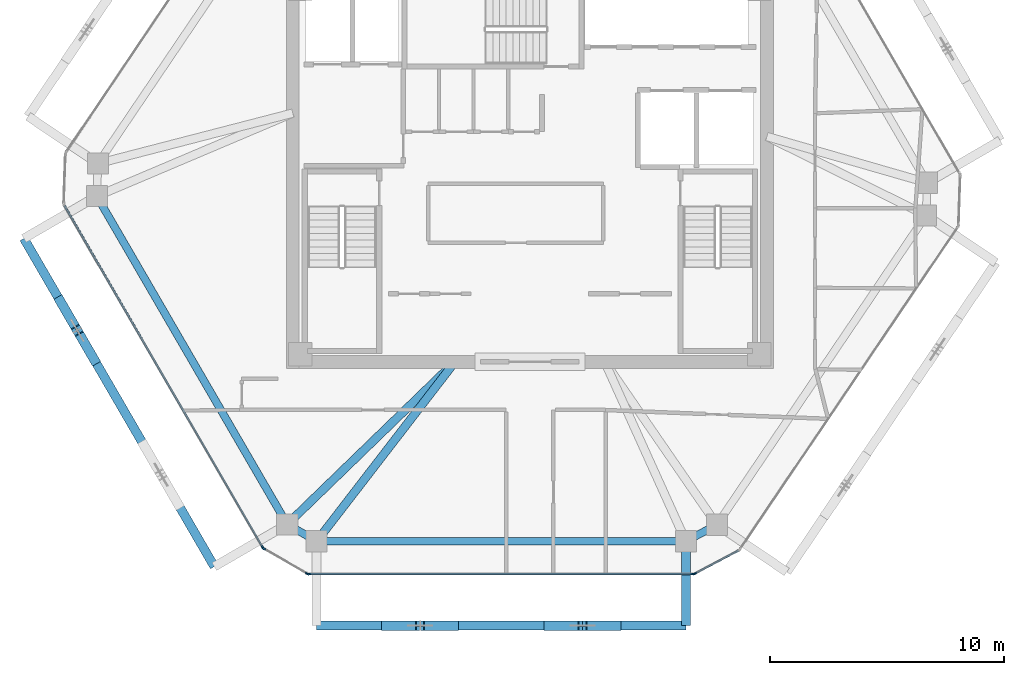
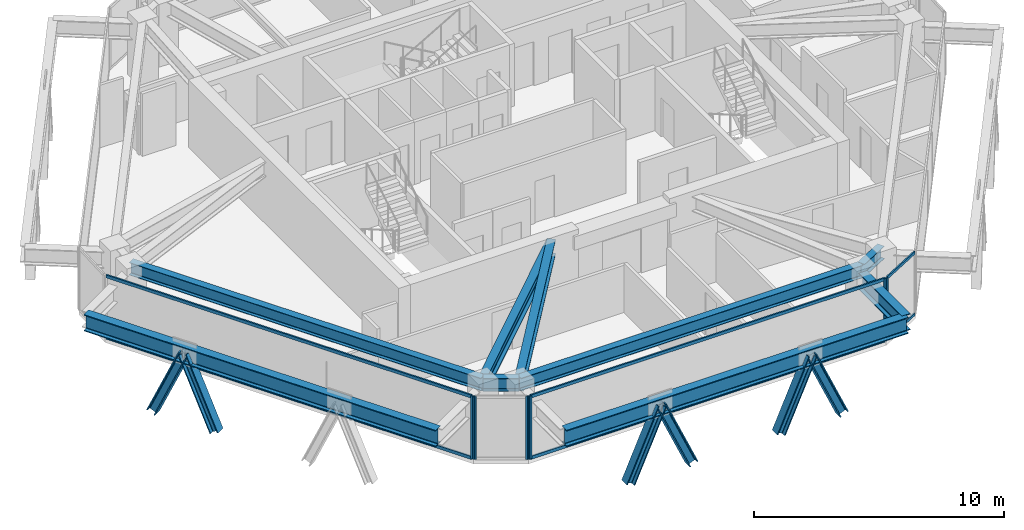
# One storey, part 2 of 12: 18 members, 9 beams, 4 elements without a shape of their own.
"""IFC4 building model written with IfcOpenShell, lengths in metres."""

from ifc_helpers import new_model, si_unit, direction, frame, origin, origin_2d, place, context, subcontext, project, spatial, rectangle, i_section, extrude, source, transform, mapped, material, layer, layer_set, material_profile, profile_set, type_object, type_shapes, element, aggregate, save


model = new_model("IFC4")

# Units and contexts
model_context = context("Model", 3, precision=1e-05, world=origin(), true_north=direction((0.0, 1.0)))
body_context = subcontext(model_context, "Body", "Model", "MODEL_VIEW")
ifc_project = project(units=[si_unit("LENGTHUNIT", "METRE"), si_unit("AREAUNIT", "SQUARE_METRE"), si_unit("VOLUMEUNIT", "CUBIC_METRE"), si_unit("PLANEANGLEUNIT", "RADIAN"), si_unit("MASSUNIT", "GRAM", prefix="KILO")], contexts=[model_context])

# Site, building, storey
site_placement = place(None, origin())
site = spatial("IfcSite", under=ifc_project, at=site_placement, CompositionType="ELEMENT")
building_placement = place(site_placement, origin())
building = spatial("IfcBuilding", under=site, at=building_placement, Name="Durnholm Broadcast Tower", CompositionType="ELEMENT")
storey_placement = place(building_placement, frame((0.0, 0.0, 221.60009765625)))
storey = spatial("IfcBuildingStorey", under=building, at=storey_placement, Name="L61", CompositionType="ELEMENT", Elevation=221.60009765625)

# Beams
ifc_material_1 = material(Name="Steel ASTM A992 Grade 50", Category="steel")
ifc_material_profile_1 = material_profile(ifc_material_1, i_section(OverallWidth=0.385009765625, OverallDepth=0.802978515625, WebThickness=0.023681640625, FlangeThickness=0.0419921875, FilletRadius=0.032958984375, at=origin_2d()), Name="W30X261")
ifc_profile_set_1 = profile_set([ifc_material_profile_1], Name="Steel ASTM A992 Grade 50")
beam_type_1 = type_object("IfcBeamType", Name="BM-EXO-TIE", PredefinedType="USERDEFINED", material=ifc_profile_set_1)
shared_shape_1 = source(origin(), body_context, "Body", "SweptSolid", [
    extrude(i_section(OverallWidth=0.385009765625, OverallDepth=0.802978515625, WebThickness=0.023681640625, FlangeThickness=0.0419921875, FilletRadius=0.032958984375, at=origin_2d()), origin(), (0.0, 0.0, 1.0), 3.4560546875),
])
beam_1_placement = place(storey_placement, frame((6.663818359375, -15.929931640625, 2.308349609375), z_axis=(0.0, -1.0, 0.0), x_axis=(1.0, 0.0, 0.0)))
element("IfcBeam", 1, at=beam_1_placement, inside=storey, type_object=beam_type_1, Name="L61 exoskeleton stand-off tie bracket F1.2", ObjectType="GIRDER", PredefinedType="USERDEFINED", context=body_context, shape_type="MappedRepresentation", body=[
    mapped(shared_shape_1, transform((0.0, 0.0, 0.0), x_axis=(1.0, 0.0, 0.0), y_axis=(0.0, 1.0, 0.0), z_axis=(0.0, 0.0, 1.0), scale=1.0)),
])
ifc_material_profile_2 = material_profile(ifc_material_1, i_section(OverallWidth=0.3251953125, OverallDepth=0.6162109375, WebThickness=0.013916015625, FlangeThickness=0.021484375, FilletRadius=0.02783203125, at=origin_2d()), Name="W24X117")
ifc_profile_set_2 = profile_set([ifc_material_profile_2], Name="Steel ASTM A992 Grade 50")
beam_type_2 = type_object("IfcBeamType", Name="STL-SP-W24X117", PredefinedType="SPANDREL", material=ifc_profile_set_2)
shared_shape_2 = source(origin(), body_context, "Body", "SweptSolid", [
    extrude(i_section(OverallWidth=0.3251953125, OverallDepth=0.6162109375, WebThickness=0.013916015625, FlangeThickness=0.021484375, FilletRadius=0.02783203125, at=origin_2d()), origin(), (0.0, 0.0, 1.0), 16.202880859375),
])
beam_2_placement = place(storey_placement, frame((-10.361328125, -15.061767578125, 2.73681640625), z_axis=(-0.501948303381, 0.864897624423, 0.0), x_axis=(-0.864897624423, -0.501948303381, 0.0)))
element("IfcBeam", 2, at=beam_2_placement, inside=storey, type_object=beam_type_2, Name="L61 perimeter spandrel girder 01", PredefinedType="SPANDREL", context=body_context, shape_type="MappedRepresentation", body=[
    mapped(shared_shape_2, transform((0.0, 0.0, 0.0), x_axis=(1.0, 0.0, 0.0), y_axis=(0.0, 1.0, 0.0), z_axis=(0.0, 0.0, 1.0), scale=1.0)),
])
shared_shape_3 = source(origin(), body_context, "Body", "SweptSolid", [
    extrude(i_section(OverallWidth=0.3251953125, OverallDepth=0.6162109375, WebThickness=0.013916015625, FlangeThickness=0.021484375, FilletRadius=0.02783203125, at=origin_2d()), origin(), (0.0, 0.0, 1.0), 1.502685546875),
])
beam_3_placement = place(storey_placement, frame((7.990966796875, -15.081298828125, 2.73681640625), z_axis=(-0.883241909673, -0.468917614296, 0.0), x_axis=(0.468917614296, -0.883241909673, 0.0)))
element("IfcBeam", 3, at=beam_3_placement, inside=storey, type_object=beam_type_2, Name="L61 perimeter spandrel girder 10", PredefinedType="SPANDREL", context=body_context, shape_type="MappedRepresentation", body=[
    mapped(shared_shape_3, transform((0.0, 0.0, 0.0), x_axis=(1.0, 0.0, 0.0), y_axis=(0.0, 1.0, 0.0), z_axis=(0.0, 0.0, 1.0), scale=1.0)),
])
shared_shape_4 = source(origin(), body_context, "Body", "SweptSolid", [
    extrude(i_section(OverallWidth=0.3251953125, OverallDepth=0.6162109375, WebThickness=0.013916015625, FlangeThickness=0.021484375, FilletRadius=0.02783203125, at=origin_2d()), origin(), (0.0, 0.0, 1.0), 15.767578125),
])
beam_4_placement = place(storey_placement, frame((6.663818359375, -15.785888671875, 2.73681640625), z_axis=(-1.0, 0.0, 0.0), x_axis=(0.0, -1.0, 0.0)))
element("IfcBeam", 4, at=beam_4_placement, inside=storey, type_object=beam_type_2, Name="L61 perimeter spandrel girder 11", PredefinedType="SPANDREL", context=body_context, shape_type="MappedRepresentation", body=[
    mapped(shared_shape_4, transform((0.0, 0.0, 0.0), x_axis=(1.0, 0.0, 0.0), y_axis=(0.0, 1.0, 0.0), z_axis=(0.0, 0.0, 1.0), scale=1.0)),
])
shared_shape_5 = source(origin(), body_context, "Body", "SweptSolid", [
    extrude(i_section(OverallWidth=0.3251953125, OverallDepth=0.6162109375, WebThickness=0.013916015625, FlangeThickness=0.021484375, FilletRadius=0.02783203125, at=origin_2d()), origin(), (0.0, 0.0, 1.0), 1.451171875),
])
type_shapes(beam_type_2, [shared_shape_2, shared_shape_3, shared_shape_4, shared_shape_5])
beam_5_placement = place(storey_placement, frame((-9.103759765625, -15.785888671875, 2.73681640625), z_axis=(-0.866602615509, 0.498998904601, 0.0), x_axis=(-0.498998904601, -0.866602615509, 0.0)))
element("IfcBeam", 5, at=beam_5_placement, inside=storey, type_object=beam_type_2, Name="L61 perimeter spandrel girder 12", PredefinedType="SPANDREL", context=body_context, shape_type="MappedRepresentation", body=[
    mapped(shared_shape_5, transform((0.0, 0.0, 0.0), x_axis=(1.0, 0.0, 0.0), y_axis=(0.0, 1.0, 0.0), z_axis=(0.0, 0.0, 1.0), scale=1.0)),
])
shared_shape_6 = source(origin(), body_context, "Body", "SweptSolid", [
    extrude(i_section(OverallWidth=0.385009765625, OverallDepth=0.802978515625, WebThickness=0.023681640625, FlangeThickness=0.0419921875, FilletRadius=0.032958984375, at=origin_2d()), origin(), (0.0, 0.0, 1.0), 15.767578125),
])
beam_6_placement = place(storey_placement, frame((-9.103759765625, -19.385986328125, 2.308349609375), z_axis=(1.0, 0.0, 0.0), x_axis=(0.0, 1.0, 0.0)))
element("IfcBeam", 6, at=beam_6_placement, inside=storey, type_object=beam_type_1, Name="L61 exoskeleton collector spandrel F1", PredefinedType="SPANDREL", context=body_context, shape_type="MappedRepresentation", body=[
    mapped(shared_shape_6, transform((0.0, 0.0, 0.0), x_axis=(1.0, 0.0, 0.0), y_axis=(0.0, 1.0, 0.0), z_axis=(0.0, 0.0, 1.0), scale=1.0)),
])
shared_shape_7 = source(origin(), body_context, "Body", "SweptSolid", [
    extrude(i_section(OverallWidth=0.385009765625, OverallDepth=0.802978515625, WebThickness=0.023681640625, FlangeThickness=0.0419921875, FilletRadius=0.032958984375, at=origin_2d()), origin(), (0.0, 0.0, 1.0), 16.20263671875),
])
type_shapes(beam_type_1, [shared_shape_1, shared_shape_6, shared_shape_7])
beam_7_placement = place(storey_placement, frame((-21.60791015625, -2.85498046875, 2.308349609375), z_axis=(0.501943573333, -0.864900369516, 0.0), x_axis=(0.864900369516, 0.501943573333, 0.0)))
element("IfcBeam", 7, at=beam_7_placement, inside=storey, type_object=beam_type_1, Name="L61 exoskeleton collector spandrel F6", PredefinedType="SPANDREL", context=body_context, shape_type="MappedRepresentation", body=[
    mapped(shared_shape_7, transform((0.0, 0.0, 0.0), x_axis=(1.0, 0.0, 0.0), y_axis=(0.0, 1.0, 0.0), z_axis=(0.0, 0.0, 1.0), scale=1.0)),
])
ifc_material_profile_3 = material_profile(ifc_material_1, i_section(OverallWidth=0.3564453125, OverallDepth=0.713623046875, WebThickness=0.01904296875, FlangeThickness=0.033935546875, FilletRadius=0.030517578125, at=origin_2d()), Name="W27X194")
ifc_profile_set_3 = profile_set([ifc_material_profile_3], Name="Steel ASTM A992 Grade 50")
beam_type_3 = type_object("IfcBeamType", Name="STL-GR-W27X194", PredefinedType="USERDEFINED", material=ifc_profile_set_3)
shared_shape_8 = source(origin(), body_context, "Body", "SweptSolid", [
    extrude(i_section(OverallWidth=0.3564453125, OverallDepth=0.713623046875, WebThickness=0.01904296875, FlangeThickness=0.033935546875, FilletRadius=0.030517578125, at=origin_2d()), origin(), (0.0, 0.0, 1.0), 9.97021484375),
])
beam_8_placement = place(storey_placement, frame((-3.199951171875, -8.125, 2.68798828125), z_axis=(-0.718281140352, -0.695752975857, 0.0), x_axis=(0.695752975857, -0.718281140352, 0.0)))
element("IfcBeam", 8, at=beam_8_placement, inside=storey, type_object=beam_type_3, Name="L61 radial primary floor girder 01", ObjectType="GIRDER", PredefinedType="USERDEFINED", context=body_context, shape_type="MappedRepresentation", body=[
    mapped(shared_shape_8, transform((0.0, 0.0, 0.0), x_axis=(1.0, 0.0, 0.0), y_axis=(0.0, 1.0, 0.0), z_axis=(0.0, 0.0, 1.0), scale=1.0)),
])
shared_shape_9 = source(origin(), body_context, "Body", "SweptSolid", [
    extrude(i_section(OverallWidth=0.3564453125, OverallDepth=0.713623046875, WebThickness=0.01904296875, FlangeThickness=0.033935546875, FilletRadius=0.030517578125, at=origin_2d()), origin(), (0.0, 0.0, 1.0), 9.671875),
])
type_shapes(beam_type_3, [shared_shape_8, shared_shape_9])
beam_9_placement = place(storey_placement, frame((-3.199951171875, -8.125, 2.68798828125), z_axis=(-0.610413181287, -0.792083169945, 0.0), x_axis=(0.792083169945, -0.610413181287, 0.0)))
element("IfcBeam", 9, at=beam_9_placement, inside=storey, type_object=beam_type_3, Name="L61 radial primary floor girder 12", ObjectType="GIRDER", PredefinedType="USERDEFINED", context=body_context, shape_type="MappedRepresentation", body=[
    mapped(shared_shape_9, transform((0.0, 0.0, 0.0), x_axis=(1.0, 0.0, 0.0), y_axis=(0.0, 1.0, 0.0), z_axis=(0.0, 0.0, 1.0), scale=1.0)),
])

# Members
ifc_material_2 = material(Name="Steel ASTM A913 Grade 65", Category="steel")
ifc_material_profile_4 = material_profile(ifc_material_2, i_section(OverallWidth=0.40625, OverallDepth=0.416015625, WebThickness=0.02978515625, FlangeThickness=0.048095703125, FilletRadius=0.030517578125, at=origin_2d()), Name="W14X257")
ifc_profile_set_4 = profile_set([ifc_material_profile_4], Name="Steel ASTM A913 Grade 65")
member_type_1 = type_object("IfcMemberType", Name="STL-DG-W14X257", PredefinedType="BRACE", material=ifc_profile_set_4)
shared_shape_10 = source(origin(), body_context, "Body", "SweptSolid", [
    extrude(i_section(OverallWidth=0.40625, OverallDepth=0.416015625, WebThickness=0.02978515625, FlangeThickness=0.048095703125, FilletRadius=0.030517578125, at=origin_2d()), origin(), (0.0, 0.0, 1.0), 3.607666015625),
])
type_shapes(member_type_1, [shared_shape_10])
for number, where, z_axis, x_axis, name in (
    (10, (-6.14697265625, -19.385986328125, -0.991455078125), (0.404209932713, 0.0, 0.914666239836), (0.0, 1.0, 0.0), "L61 stand-off diagrid brace F1.D1.1"),
    (11, (-3.230712890625, -19.385986328125, -0.991455078125), (-0.404153314314, 0.0, 0.914691258584), (0.0, -1.0, 0.0), "L61 stand-off diagrid brace F1.D1.2"),
    (12, (0.79052734375, -19.385986328125, -0.991455078125), (0.404209932713, 0.0, 0.914666239836), (0.0, 1.0, 0.0), "L61 stand-off diagrid brace F1.D2.1"),
    (13, (3.70703125, -19.385986328125, -0.991455078125), (-0.404209932713, 0.0, 0.914666239836), (0.0, -1.0, 0.0), "L61 stand-off diagrid brace F1.D2.2"),
    (14, (-20.0625, -5.517578125, -0.991455078125), (0.202818858385, -0.349603677817, 0.914681244555), (0.864978863669, 0.501808295473, 0.0), "L61 stand-off diagrid brace F6.D1.1"),
    (15, (-18.5986328125, -8.0400390625, -0.991455078125), (-0.202948633357, 0.349594078001, 0.914656128195), (-0.864833498681, -0.50205878098, 0.0), "L61 stand-off diagrid brace F6.D1.2"),
):
    element("IfcMember", number, at=place(storey_placement, frame(where, z_axis=z_axis, x_axis=x_axis)), inside=storey, type_object=member_type_1, Name=name, PredefinedType="BRACE", context=body_context, shape_type="MappedRepresentation", body=[
        mapped(shared_shape_10, transform((0.0, 0.0, 0.0), x_axis=(1.0, 0.0, 0.0), y_axis=(0.0, 1.0, 0.0), z_axis=(0.0, 0.0, 1.0), scale=1.0)),
    ])

# Curtain wall, members
ifc_material_3 = material(Name="Aluminium and Solar Control IGU", Category="aluminium")
ifc_layer_1 = layer(ifc_material_3, 0.1650390625)
ifc_layer_set_1 = layer_set([ifc_layer_1], Name="Aluminium and Solar Control IGU")
curtain_wall_type_1 = type_object("IfcCurtainWallType", Name="CW-SYS-5", PredefinedType="NOTDEFINED", material=ifc_layer_set_1)
curtain_wall_1_placement = place(storey_placement, origin())
curtain_wall_1 = element("IfcCurtainWall", 16, at=curtain_wall_1_placement, inside=storey, type_object=curtain_wall_type_1, Name="L61 curtain wall CW-CORNER CW-L61-CRN-09", PredefinedType="NOTDEFINED")
ifc_material_4 = material(Name="Aluminium 6063-T6", Category="aluminium")
ifc_material_profile_5 = material_profile(ifc_material_4, rectangle(XDim=0.06494140625, YDim=0.1298828125, at=origin_2d()), Name="CWT65X130")
ifc_profile_set_5 = profile_set([ifc_material_profile_5], Name="Aluminium 6063-T6")
member_type_2 = type_object("IfcMemberType", Name="CW-SYS-5-TRN", PredefinedType="USERDEFINED", material=ifc_profile_set_5)
shared_shape_11 = source(origin(), body_context, "Body", "SweptSolid", [
    extrude(rectangle(XDim=0.06494140625, YDim=0.1298828125, at=origin_2d()), origin(), (0.0, 0.0, 1.0), 2.070068359375),
])
type_shapes(member_type_2, [shared_shape_11])
member_1_placement = place(storey_placement, frame((8.89794921875, -16.1845703125, 0.032470703125), z_axis=(-0.883164581026, -0.469063239682, 0.0), x_axis=(0.469063239682, -0.883164581026, 0.0)))
member_1 = element("IfcMember", 17, at=member_1_placement, type_object=member_type_2, Name="CW-CORNER transom 1.1", ObjectType="TRANSOM", PredefinedType="USERDEFINED", context=body_context, shape_type="MappedRepresentation", body=[
    mapped(shared_shape_11, transform((0.0, 0.0, 0.0), x_axis=(1.0, 0.0, 0.0), y_axis=(0.0, 1.0, 0.0), z_axis=(0.0, 0.0, 1.0), scale=1.0)),
])
member_2_placement = place(storey_placement, frame((8.89794921875, -16.1845703125, 3.02734375), z_axis=(-0.883164581026, -0.469063239682, 0.0), x_axis=(0.469063239682, -0.883164581026, 0.0)))
member_2 = element("IfcMember", 18, at=member_2_placement, type_object=member_type_2, Name="CW-CORNER transom 1.2", ObjectType="TRANSOM", PredefinedType="USERDEFINED", context=body_context, shape_type="MappedRepresentation", body=[
    mapped(shared_shape_11, transform((0.0, 0.0, 0.0), x_axis=(1.0, 0.0, 0.0), y_axis=(0.0, 1.0, 0.0), z_axis=(0.0, 0.0, 1.0), scale=1.0)),
])
ifc_material_profile_6 = material_profile(ifc_material_4, rectangle(XDim=0.06494140625, YDim=0.1650390625, at=origin_2d()), Name="CWM65X165")
ifc_profile_set_6 = profile_set([ifc_material_profile_6], Name="Aluminium 6063-T6")
member_type_3 = type_object("IfcMemberType", Name="CW-SYS-5-MUL", PredefinedType="MULLION", material=ifc_profile_set_6)
shared_shape_12 = source(origin(), body_context, "Body", "SweptSolid", [
    extrude(rectangle(XDim=0.06494140625, YDim=0.1650390625, at=origin_2d()), origin(), (0.0, 0.0, 1.0), 3.059814453125),
])
type_shapes(member_type_3, [shared_shape_12])
member_3_placement = place(storey_placement, frame((7.041015625, -17.170654296875, 0.0), z_axis=(0.0, 0.0, 1.0), x_axis=(0.469006771575, -0.883194569853, 0.0)))
member_3 = element("IfcMember", 19, at=member_3_placement, type_object=member_type_3, Name="CW-CORNER mullion 2", PredefinedType="MULLION", context=body_context, shape_type="MappedRepresentation", body=[
    mapped(shared_shape_12, transform((0.0, 0.0, 0.0), x_axis=(1.0, 0.0, 0.0), y_axis=(0.0, 1.0, 0.0), z_axis=(0.0, 0.0, 1.0), scale=1.0)),
])
aggregate(curtain_wall_1, [member_3, member_1, member_2])

curtain_wall_2_placement = place(storey_placement, origin())
curtain_wall_2 = element("IfcCurtainWall", 20, at=curtain_wall_2_placement, inside=storey, type_object=curtain_wall_type_1, Name="L61 curtain wall CW-CORNER CW-L61-CRN-11", PredefinedType="NOTDEFINED")
member_4_placement = place(storey_placement, frame((-9.506103515625, -17.169677734375, 0.0), z_axis=(0.0, 0.0, 1.0), x_axis=(-0.499058582333, -0.866568249707, 0.0)))
member_4 = element("IfcMember", 21, at=member_4_placement, type_object=member_type_3, Name="CW-CORNER mullion 1", PredefinedType="MULLION", context=body_context, shape_type="MappedRepresentation", body=[
    mapped(shared_shape_12, transform((0.0, 0.0, 0.0), x_axis=(1.0, 0.0, 0.0), y_axis=(0.0, 1.0, 0.0), z_axis=(0.0, 0.0, 1.0), scale=1.0)),
])
member_5_placement = place(storey_placement, frame((-11.356201171875, -16.104248046875, 0.0), z_axis=(0.0, 0.0, 1.0), x_axis=(-0.499058582333, -0.866568249707, 0.0)))
member_5 = element("IfcMember", 22, at=member_5_placement, type_object=member_type_3, Name="CW-CORNER mullion 2", PredefinedType="MULLION", context=body_context, shape_type="MappedRepresentation", body=[
    mapped(shared_shape_12, transform((0.0, 0.0, 0.0), x_axis=(1.0, 0.0, 0.0), y_axis=(0.0, 1.0, 0.0), z_axis=(0.0, 0.0, 1.0), scale=1.0)),
])
aggregate(curtain_wall_2, [member_4, member_5])

ifc_layer_2 = layer(ifc_material_3, 0.18994140625)
ifc_layer_set_2 = layer_set([ifc_layer_2], Name="Aluminium and Solar Control IGU")
curtain_wall_type_2 = type_object("IfcCurtainWallType", Name="CW-SYS-4", PredefinedType="NOTDEFINED", material=ifc_layer_set_2)
curtain_wall_3_placement = place(storey_placement, origin())
curtain_wall_3 = element("IfcCurtainWall", 23, at=curtain_wall_3_placement, inside=storey, type_object=curtain_wall_type_2, Name="L61 curtain wall CW-Z34-VIS CW-L61-F10", PredefinedType="NOTDEFINED")
ifc_material_profile_7 = material_profile(ifc_material_4, rectangle(XDim=0.070068359375, YDim=0.18994140625, at=origin_2d()), Name="CWM70X190")
ifc_profile_set_7 = profile_set([ifc_material_profile_7], Name="Aluminium 6063-T6")
member_type_4 = type_object("IfcMemberType", Name="CW-SYS-4-MUL", PredefinedType="MULLION", material=ifc_profile_set_7)
shared_shape_13 = source(origin(), body_context, "Body", "SweptSolid", [
    extrude(rectangle(XDim=0.070068359375, YDim=0.18994140625, at=origin_2d()), origin(), (0.0, 0.0, 1.0), 3.059814453125),
])
type_shapes(member_type_4, [shared_shape_13])
member_6_placement = place(storey_placement, frame((6.977294921875, -17.18603515625, 0.0), z_axis=(0.0, 0.0, 1.0), x_axis=(0.0, -1.0, 0.0)))
member_6 = element("IfcMember", 24, at=member_6_placement, type_object=member_type_4, Name="CW-Z34-VIS mullion 1", PredefinedType="MULLION", context=body_context, shape_type="MappedRepresentation", body=[
    mapped(shared_shape_13, transform((0.0, 0.0, 0.0), x_axis=(1.0, 0.0, 0.0), y_axis=(0.0, 1.0, 0.0), z_axis=(0.0, 0.0, 1.0), scale=1.0)),
])
member_7_placement = place(storey_placement, frame((-9.443115234375, -17.18603515625, 0.0), z_axis=(0.0, 0.0, 1.0), x_axis=(0.0, -1.0, 0.0)))
member_7 = element("IfcMember", 25, at=member_7_placement, type_object=member_type_4, Name="CW-Z34-VIS mullion 2", PredefinedType="MULLION", context=body_context, shape_type="MappedRepresentation", body=[
    mapped(shared_shape_13, transform((0.0, 0.0, 0.0), x_axis=(1.0, 0.0, 0.0), y_axis=(0.0, 1.0, 0.0), z_axis=(0.0, 0.0, 1.0), scale=1.0)),
])

# Curtain wall, member
curtain_wall_4_placement = place(storey_placement, origin())
curtain_wall_4 = element("IfcCurtainWall", 26, at=curtain_wall_4_placement, inside=storey, type_object=curtain_wall_type_2, Name="L61 curtain wall CW-Z34-VIS CW-L61-F12", PredefinedType="NOTDEFINED")
member_8_placement = place(storey_placement, frame((-11.40185546875, -16.057861328125, 0.0), z_axis=(0.0, 0.0, 1.0), x_axis=(-0.864899883824, -0.50194441023, 0.0)))
member_8 = element("IfcMember", 27, at=member_8_placement, type_object=member_type_4, Name="CW-Z34-VIS mullion 1", PredefinedType="MULLION", context=body_context, shape_type="MappedRepresentation", body=[
    mapped(shared_shape_13, transform((0.0, 0.0, 0.0), x_axis=(1.0, 0.0, 0.0), y_axis=(0.0, 1.0, 0.0), z_axis=(0.0, 0.0, 1.0), scale=1.0)),
])

# Member
ifc_material_profile_8 = material_profile(ifc_material_4, rectangle(XDim=0.070068359375, YDim=0.14990234375, at=origin_2d()), Name="CWT70X150")
ifc_profile_set_8 = profile_set([ifc_material_profile_8], Name="Aluminium 6063-T6")
member_type_5 = type_object("IfcMemberType", Name="CW-SYS-4-TRN", PredefinedType="USERDEFINED", material=ifc_profile_set_8)
shared_shape_14 = source(origin(), body_context, "Body", "SweptSolid", [
    extrude(rectangle(XDim=0.070068359375, YDim=0.14990234375, at=origin_2d()), origin(), (0.0, 0.0, 1.0), 16.350341796875),
])
member_9_placement = place(storey_placement, frame((6.9423828125, -17.18603515625, 0.034912109375), z_axis=(-1.0, 0.0, 0.0), x_axis=(0.0, -1.0, 0.0)))
member_9 = element("IfcMember", 28, at=member_9_placement, type_object=member_type_5, Name="CW-Z34-VIS transom 1.1", ObjectType="TRANSOM", PredefinedType="USERDEFINED", context=body_context, shape_type="MappedRepresentation", body=[
    mapped(shared_shape_14, transform((0.0, 0.0, 0.0), x_axis=(1.0, 0.0, 0.0), y_axis=(0.0, 1.0, 0.0), z_axis=(0.0, 0.0, 1.0), scale=1.0)),
])

member_10_placement = place(storey_placement, frame((6.9423828125, -17.18603515625, 3.02490234375), z_axis=(-1.0, 0.0, 0.0), x_axis=(0.0, -1.0, 0.0)))
member_10 = element("IfcMember", 29, at=member_10_placement, type_object=member_type_5, Name="CW-Z34-VIS transom 1.2", ObjectType="TRANSOM", PredefinedType="USERDEFINED", context=body_context, shape_type="MappedRepresentation", body=[
    mapped(shared_shape_14, transform((0.0, 0.0, 0.0), x_axis=(1.0, 0.0, 0.0), y_axis=(0.0, 1.0, 0.0), z_axis=(0.0, 0.0, 1.0), scale=1.0)),
])

aggregate(curtain_wall_3, [member_6, member_7, member_9, member_10])

shared_shape_15 = source(origin(), body_context, "Body", "SweptSolid", [
    extrude(rectangle(XDim=0.070068359375, YDim=0.14990234375, at=origin_2d()), origin(), (0.0, 0.0, 1.0), 16.83984375),
])
type_shapes(member_type_5, [shared_shape_14, shared_shape_15])
member_11_placement = place(storey_placement, frame((-11.41943359375, -16.027587890625, 0.034912109375), z_axis=(-0.501945239029, 0.86489940283, 0.0), x_axis=(-0.86489940283, -0.501945239029, 0.0)))
member_11 = element("IfcMember", 30, at=member_11_placement, type_object=member_type_5, Name="CW-Z34-VIS transom 1.1", ObjectType="TRANSOM", PredefinedType="USERDEFINED", context=body_context, shape_type="MappedRepresentation", body=[
    mapped(shared_shape_15, transform((0.0, 0.0, 0.0), x_axis=(1.0, 0.0, 0.0), y_axis=(0.0, 1.0, 0.0), z_axis=(0.0, 0.0, 1.0), scale=1.0)),
])

member_12_placement = place(storey_placement, frame((-11.41943359375, -16.027587890625, 3.02490234375), z_axis=(-0.501945239029, 0.86489940283, 0.0), x_axis=(-0.86489940283, -0.501945239029, 0.0)))
member_12 = element("IfcMember", 31, at=member_12_placement, type_object=member_type_5, Name="CW-Z34-VIS transom 1.2", ObjectType="TRANSOM", PredefinedType="USERDEFINED", context=body_context, shape_type="MappedRepresentation", body=[
    mapped(shared_shape_15, transform((0.0, 0.0, 0.0), x_axis=(1.0, 0.0, 0.0), y_axis=(0.0, 1.0, 0.0), z_axis=(0.0, 0.0, 1.0), scale=1.0)),
])

aggregate(curtain_wall_4, [member_8, member_11, member_12])

save(model, "model.ifc")
